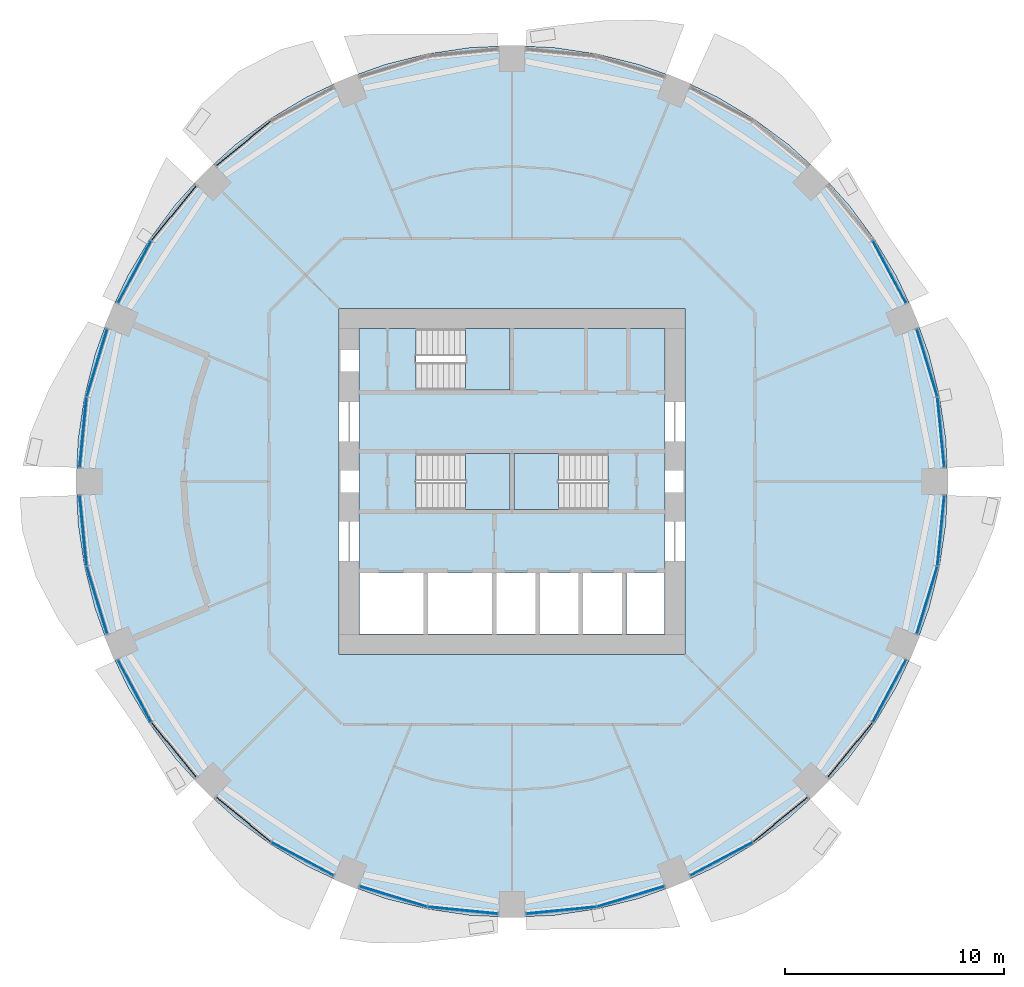
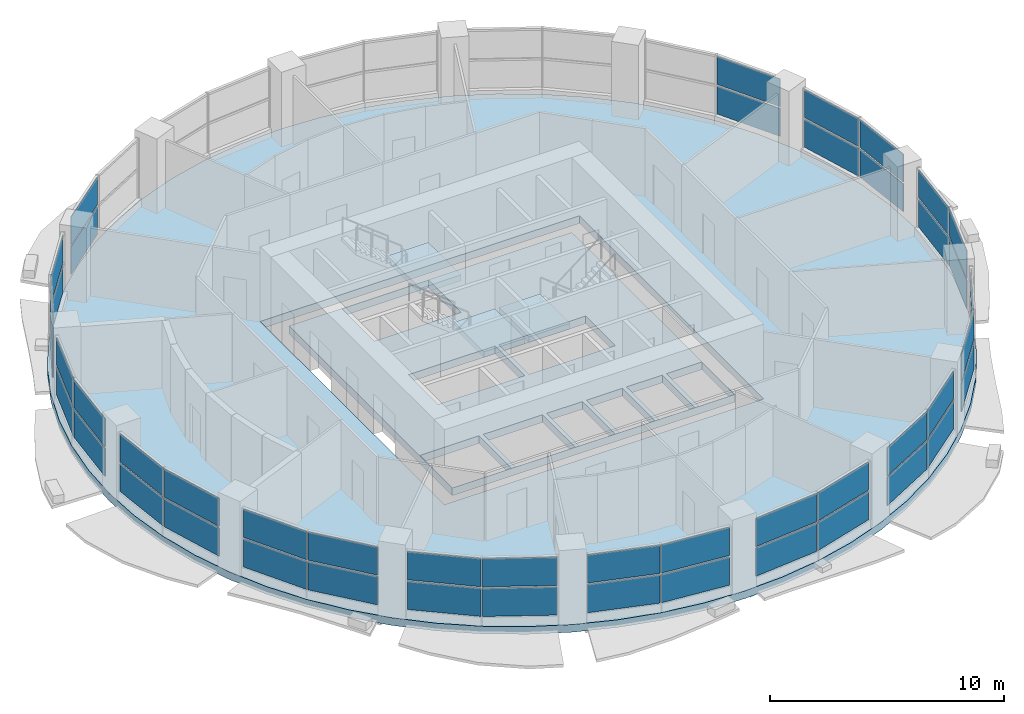
# One storey, part 6 of 15: 48 plates, 5 slabs, 16 elements without a shape of their own.
"""IFC4 building model written with IfcOpenShell, lengths in metres."""

from ifc_helpers import new_model, si_unit, direction, frame, origin, origin_2d, place, context, subcontext, project, spatial, polyline, rectangle, outline, extrude, material, layer, layer_set, type_object, element, aggregate, save


model = new_model("IFC4")

# Units and contexts
model_context = context("Model", 3, precision=1e-05, world=origin(), true_north=direction((0.0, 1.0)))
body_context = subcontext(model_context, "Body", "Model", "MODEL_VIEW")
ifc_project = project(units=[si_unit("LENGTHUNIT", "METRE"), si_unit("AREAUNIT", "SQUARE_METRE"), si_unit("VOLUMEUNIT", "CUBIC_METRE"), si_unit("PLANEANGLEUNIT", "RADIAN"), si_unit("MASSUNIT", "GRAM", prefix="KILO")], contexts=[model_context])

# Site, building, storey
site_placement = place(None, origin())
site = spatial("IfcSite", under=ifc_project, at=site_placement, CompositionType="ELEMENT")
building_placement = place(site_placement, origin())
building = spatial("IfcBuilding", under=site, at=building_placement, Name="Polderwave Tower", CompositionType="ELEMENT")
storey_placement = place(building_placement, frame((0.0, 0.0, 18.5)))
storey = spatial("IfcBuildingStorey", under=building, at=storey_placement, Name="L04", CompositionType="ELEMENT", Elevation=18.5)

# Slabs
ifc_material_1 = material(Name="Concrete C40/50", Category="concrete")
ifc_layer_1 = layer(ifc_material_1, 0.39990234375)
ifc_layer_set_1 = layer_set([ifc_layer_1], Name="Core floor slab 400")
slab_type_1 = type_object("IfcSlabType", Name="Core floor slab 400", PredefinedType="FLOOR", material=ifc_layer_set_1)
slab_1_placement = place(storey_placement, frame((0.0, 0.0, -0.39990234375)))
element("IfcSlab", 1, at=slab_1_placement, inside=storey, type_object=slab_type_1, Name="L04 core floor", PredefinedType="FLOOR", context=body_context, shape_type="SweptSolid", body=[
    extrude(outline(polyline([(-6.97412109375, -6.97412109375), (6.97412109375, -6.97412109375), (6.97412109375, 6.97412109375), (-6.97412109375, 6.97412109375), (-6.97412109375, -6.97412109375)]), holes=[polyline([(-6.9541015625, -6.9541015625), (-4.037109375, -6.9541015625), (-4.037109375, -4.174072265625), (-6.9541015625, -4.174072265625), (-6.9541015625, -6.9541015625)]), polyline([(-3.8369140625, -6.9541015625), (-0.89990234375, -6.9541015625), (-0.89990234375, -4.174072265625), (-3.8369140625, -4.174072265625), (-3.8369140625, -6.9541015625)]), polyline([(-0.699951171875, -6.9541015625), (1.068603515625, -6.9541015625), (1.068603515625, -4.174072265625), (-0.699951171875, -4.174072265625), (-0.699951171875, -6.9541015625)]), polyline([(1.2685546875, -6.9541015625), (3.037109375, -6.9541015625), (3.037109375, -4.174072265625), (1.2685546875, -4.174072265625), (1.2685546875, -6.9541015625)]), polyline([(3.237060546875, -6.9541015625), (5.005615234375, -6.9541015625), (5.005615234375, -4.174072265625), (3.237060546875, -4.174072265625), (3.237060546875, -6.9541015625)]), polyline([(5.20556640625, -6.9541015625), (6.9541015625, -6.9541015625), (6.9541015625, -4.174072265625), (5.20556640625, -4.174072265625), (5.20556640625, -6.9541015625)]), polyline([(-4.37353515625, -1.2744140625), (-0.1005859375, -1.2744140625), (-0.1005859375, 1.2744140625), (-4.37353515625, 1.2744140625), (-4.37353515625, -1.2744140625)]), polyline([(0.1005859375, -1.2744140625), (4.37353515625, -1.2744140625), (4.37353515625, 1.2744140625), (0.1005859375, 1.2744140625), (0.1005859375, -1.2744140625)]), polyline([(-4.37353515625, 4.174560546875), (-0.1005859375, 4.174560546875), (-0.1005859375, 6.9541015625), (-4.37353515625, 6.9541015625), (-4.37353515625, 4.174560546875)])]), origin(), (0.0, 0.0, 1.0), 0.39990234375),
])
ifc_layer_2 = layer(ifc_material_1, 0.39990234375)
ifc_layer_set_2 = layer_set([ifc_layer_2], Name="PT FLOOR SLAB 400 C40/50")
slab_type_2 = type_object("IfcSlabType", Name="PT FLOOR SLAB 400 C40/50", PredefinedType="FLOOR", material=ifc_layer_set_2)
slab_2_placement = place(storey_placement, frame((0.0, 0.0, -0.39990234375)))
element("IfcSlab", 2, at=slab_2_placement, inside=storey, type_object=slab_type_2, Name="ST-SLAB-L04", PredefinedType="FLOOR", context=body_context, shape_type="SweptSolid", body=[
    extrude(outline(polyline([(19.860107421875, 0.0), (19.764404296875, 1.946533203125), (19.478515625, 3.87451171875), (19.0048828125, 5.76513671875), (18.34814453125, 7.60009765625), (17.514892578125, 9.36181640625), (16.512939453125, 11.03369140625), (15.35205078125, 12.59912109375), (14.043212890625, 14.043212890625), (12.59912109375, 15.35205078125), (11.03369140625, 16.512939453125), (9.36181640625, 17.514892578125), (7.60009765625, 18.34814453125), (5.76513671875, 19.0048828125), (3.87451171875, 19.478515625), (1.946533203125, 19.764404296875), (0.0, 19.860107421875), (-1.946533203125, 19.764404296875), (-3.87451171875, 19.478515625), (-5.76513671875, 19.0048828125), (-7.60009765625, 18.34814453125), (-9.36181640625, 17.514892578125), (-11.03369140625, 16.512939453125), (-12.59912109375, 15.35205078125), (-14.043212890625, 14.043212890625), (-15.35205078125, 12.59912109375), (-16.512939453125, 11.03369140625), (-17.514892578125, 9.36181640625), (-18.34814453125, 7.60009765625), (-19.0048828125, 5.76513671875), (-19.478515625, 3.87451171875), (-19.764404296875, 1.946533203125), (-19.860107421875, 0.0), (-19.764404296875, -1.946533203125), (-19.478515625, -3.87451171875), (-19.0048828125, -5.76513671875), (-18.34814453125, -7.60009765625), (-17.514892578125, -9.36181640625), (-16.512939453125, -11.03369140625), (-15.35205078125, -12.59912109375), (-14.043212890625, -14.043212890625), (-12.59912109375, -15.35205078125), (-11.03369140625, -16.512939453125), (-9.36181640625, -17.514892578125), (-7.60009765625, -18.34814453125), (-5.76513671875, -19.0048828125), (-3.87451171875, -19.478515625), (-1.946533203125, -19.764404296875), (0.0, -19.860107421875), (1.946533203125, -19.764404296875), (3.87451171875, -19.478515625), (5.76513671875, -19.0048828125), (7.60009765625, -18.34814453125), (9.36181640625, -17.514892578125), (11.03369140625, -16.512939453125), (12.59912109375, -15.35205078125), (14.043212890625, -14.043212890625), (15.35205078125, -12.59912109375), (16.512939453125, -11.03369140625), (17.514892578125, -9.36181640625), (18.34814453125, -7.60009765625), (19.0048828125, -5.76513671875), (19.478515625, -3.87451171875), (19.764404296875, -1.946533203125), (19.860107421875, 0.0)]), holes=[polyline([(-7.8740234375, -7.8740234375), (7.8740234375, -7.8740234375), (7.8740234375, 7.8740234375), (-7.8740234375, 7.8740234375), (-7.8740234375, -7.8740234375)])]), origin(), (0.0, 0.0, 1.0), 0.39990234375),
])

# Curtain wall, plates
ifc_material_2 = material(Name="Aluminium 6063-T6 and glass", Category="aluminium")
curtain_wall_type = type_object("IfcCurtainWallType", Name="Shopfront glazing wall", PredefinedType="NOTDEFINED", material=ifc_material_2)
curtain_wall_1_placement = place(storey_placement, origin())
curtain_wall_1 = element("IfcCurtainWall", 3, at=curtain_wall_1_placement, inside=storey, type_object=curtain_wall_type, Name="CW1 L04 00", PredefinedType="NOTDEFINED")
ifc_material_3 = material(Name="Glass, low-e laminated double glazing", Category="glass")
ifc_layer_3 = layer(ifc_material_3, 0.035888671875)
ifc_layer_set_3 = layer_set([ifc_layer_3], Name="Shopfront glazing glass panel 36 mm")
plate_type = type_object("IfcPlateType", Name="Shopfront glazing glass panel 36 mm", PredefinedType="CURTAIN_PANEL", material=ifc_layer_set_3)
plate_1_placement = place(storey_placement, frame((19.5390625, 2.242431640625, 0.4501953125), z_axis=(0.0, 0.0, 1.0), x_axis=(-0.098142198156, 0.995172401617, 0.0)))
plate_1 = element("IfcPlate", 4, at=plate_1_placement, type_object=plate_type, Name="CW1 panel 1", PredefinedType="CURTAIN_PANEL", context=body_context, shape_type="SweptSolid", body=[
    extrude(rectangle(XDim=3.180908203125, YDim=0.035888671875, at=origin_2d()), origin(), (0.0, 0.0, 1.0), 1.449951171875),
])
plate_2_placement = place(storey_placement, frame((19.5390625, 2.242431640625, 2.0), z_axis=(0.0, 0.0, 1.0), x_axis=(-0.098142198156, 0.995172401617, 0.0)))
plate_2 = element("IfcPlate", 5, at=plate_2_placement, type_object=plate_type, Name="CW1 panel 2", PredefinedType="CURTAIN_PANEL", context=body_context, shape_type="SweptSolid", body=[
    extrude(rectangle(XDim=3.180908203125, YDim=0.035888671875, at=origin_2d()), origin(), (0.0, 0.0, 1.0), 1.449951171875),
])
plate_3_placement = place(storey_placement, frame((18.909912109375, 5.405517578125, 0.4501953125), z_axis=(0.0, 0.0, 1.0), x_axis=(-0.290151060348, 0.956980857791, 0.0)))
plate_3 = element("IfcPlate", 6, at=plate_3_placement, type_object=plate_type, Name="CW1 panel 3", PredefinedType="CURTAIN_PANEL", context=body_context, shape_type="SweptSolid", body=[
    extrude(rectangle(XDim=3.1806640625, YDim=0.035888671875, at=origin_2d()), origin(), (0.0, 0.0, 1.0), 1.449951171875),
])
plate_4_placement = place(storey_placement, frame((18.909912109375, 5.405517578125, 2.0), z_axis=(0.0, 0.0, 1.0), x_axis=(-0.290151060348, 0.956980857791, 0.0)))
plate_4 = element("IfcPlate", 7, at=plate_4_placement, type_object=plate_type, Name="CW1 panel 4", PredefinedType="CURTAIN_PANEL", context=body_context, shape_type="SweptSolid", body=[
    extrude(rectangle(XDim=3.1806640625, YDim=0.035888671875, at=origin_2d()), origin(), (0.0, 0.0, 1.0), 1.449951171875),
])
aggregate(curtain_wall_1, [plate_1, plate_2, plate_3, plate_4])

curtain_wall_2_placement = place(storey_placement, origin())
curtain_wall_2 = element("IfcCurtainWall", 8, at=curtain_wall_2_placement, inside=storey, type_object=curtain_wall_type, Name="CW1 L04 01", PredefinedType="NOTDEFINED")
plate_5_placement = place(storey_placement, frame((17.19384765625, 9.54931640625, 0.4501953125), z_axis=(0.0, 0.0, 1.0), x_axis=(-0.471509097737, 0.881861196987, 0.0)))
plate_5 = element("IfcPlate", 9, at=plate_5_placement, type_object=plate_type, Name="CW1 panel 1", PredefinedType="CURTAIN_PANEL", context=body_context, shape_type="SweptSolid", body=[
    extrude(rectangle(XDim=3.180419921875, YDim=0.035888671875, at=origin_2d()), origin(), (0.0, 0.0, 1.0), 1.449951171875),
])
plate_6_placement = place(storey_placement, frame((17.19384765625, 9.54931640625, 2.0), z_axis=(0.0, 0.0, 1.0), x_axis=(-0.471509097737, 0.881861196987, 0.0)))
plate_6 = element("IfcPlate", 10, at=plate_6_placement, type_object=plate_type, Name="CW1 panel 2", PredefinedType="CURTAIN_PANEL", context=body_context, shape_type="SweptSolid", body=[
    extrude(rectangle(XDim=3.180419921875, YDim=0.035888671875, at=origin_2d()), origin(), (0.0, 0.0, 1.0), 1.449951171875),
])
aggregate(curtain_wall_2, [plate_5, plate_6])

curtain_wall_3_placement = place(storey_placement, origin())
curtain_wall_3 = element("IfcCurtainWall", 11, at=curtain_wall_3_placement, inside=storey, type_object=curtain_wall_type, Name="CW1 L04 05", PredefinedType="NOTDEFINED")
plate_7_placement = place(storey_placement, frame((-12.23046875, 15.402099609375, 0.4501953125), z_axis=(0.0, 0.0, 1.0), x_axis=(-0.772961733177, -0.634452645234, 0.0)))
plate_7 = element("IfcPlate", 12, at=plate_7_placement, type_object=plate_type, Name="CW1 panel 3", PredefinedType="CURTAIN_PANEL", context=body_context, shape_type="SweptSolid", body=[
    extrude(rectangle(XDim=3.180419921875, YDim=0.035888671875, at=origin_2d()), origin(), (0.0, 0.0, 1.0), 1.449951171875),
])
plate_8_placement = place(storey_placement, frame((-12.23046875, 15.402099609375, 2.0), z_axis=(0.0, 0.0, 1.0), x_axis=(-0.772961733177, -0.634452645234, 0.0)))
plate_8 = element("IfcPlate", 13, at=plate_8_placement, type_object=plate_type, Name="CW1 panel 4", PredefinedType="CURTAIN_PANEL", context=body_context, shape_type="SweptSolid", body=[
    extrude(rectangle(XDim=3.180419921875, YDim=0.035888671875, at=origin_2d()), origin(), (0.0, 0.0, 1.0), 1.449951171875),
])
aggregate(curtain_wall_3, [plate_7, plate_8])

curtain_wall_4_placement = place(storey_placement, origin())
curtain_wall_4 = element("IfcCurtainWall", 14, at=curtain_wall_4_placement, inside=storey, type_object=curtain_wall_type, Name="CW1 L04 06", PredefinedType="NOTDEFINED")
plate_9_placement = place(storey_placement, frame((-15.402099609375, 12.23046875, 0.4501953125), z_axis=(0.0, 0.0, 1.0), x_axis=(-0.634452645234, -0.772961733177, 0.0)))
plate_9 = element("IfcPlate", 15, at=plate_9_placement, type_object=plate_type, Name="CW1 panel 1", PredefinedType="CURTAIN_PANEL", context=body_context, shape_type="SweptSolid", body=[
    extrude(rectangle(XDim=3.180419921875, YDim=0.035888671875, at=origin_2d()), origin(), (0.0, 0.0, 1.0), 1.449951171875),
])
plate_10_placement = place(storey_placement, frame((-15.402099609375, 12.23046875, 2.0), z_axis=(0.0, 0.0, 1.0), x_axis=(-0.634452645234, -0.772961733177, 0.0)))
plate_10 = element("IfcPlate", 16, at=plate_10_placement, type_object=plate_type, Name="CW1 panel 2", PredefinedType="CURTAIN_PANEL", context=body_context, shape_type="SweptSolid", body=[
    extrude(rectangle(XDim=3.180419921875, YDim=0.035888671875, at=origin_2d()), origin(), (0.0, 0.0, 1.0), 1.449951171875),
])
plate_11_placement = place(storey_placement, frame((-17.19384765625, 9.54931640625, 0.4501953125), z_axis=(0.0, 0.0, 1.0), x_axis=(-0.471509097737, -0.881861196987, 0.0)))
plate_11 = element("IfcPlate", 17, at=plate_11_placement, type_object=plate_type, Name="CW1 panel 3", PredefinedType="CURTAIN_PANEL", context=body_context, shape_type="SweptSolid", body=[
    extrude(rectangle(XDim=3.180419921875, YDim=0.035888671875, at=origin_2d()), origin(), (0.0, 0.0, 1.0), 1.449951171875),
])
plate_12_placement = place(storey_placement, frame((-17.19384765625, 9.54931640625, 2.0), z_axis=(0.0, 0.0, 1.0), x_axis=(-0.471509097737, -0.881861196987, 0.0)))
plate_12 = element("IfcPlate", 18, at=plate_12_placement, type_object=plate_type, Name="CW1 panel 4", PredefinedType="CURTAIN_PANEL", context=body_context, shape_type="SweptSolid", body=[
    extrude(rectangle(XDim=3.180419921875, YDim=0.035888671875, at=origin_2d()), origin(), (0.0, 0.0, 1.0), 1.449951171875),
])
aggregate(curtain_wall_4, [plate_9, plate_10, plate_11, plate_12])

curtain_wall_5_placement = place(storey_placement, origin())
curtain_wall_5 = element("IfcCurtainWall", 19, at=curtain_wall_5_placement, inside=storey, type_object=curtain_wall_type, Name="CW1 L04 07", PredefinedType="NOTDEFINED")
plate_13_placement = place(storey_placement, frame((-18.909912109375, 5.405517578125, 0.4501953125), z_axis=(0.0, 0.0, 1.0), x_axis=(-0.290151060348, -0.956980857791, 0.0)))
plate_13 = element("IfcPlate", 20, at=plate_13_placement, type_object=plate_type, Name="CW1 panel 1", PredefinedType="CURTAIN_PANEL", context=body_context, shape_type="SweptSolid", body=[
    extrude(rectangle(XDim=3.1806640625, YDim=0.035888671875, at=origin_2d()), origin(), (0.0, 0.0, 1.0), 1.449951171875),
])
plate_14_placement = place(storey_placement, frame((-18.909912109375, 5.405517578125, 2.0), z_axis=(0.0, 0.0, 1.0), x_axis=(-0.290151060348, -0.956980857791, 0.0)))
plate_14 = element("IfcPlate", 21, at=plate_14_placement, type_object=plate_type, Name="CW1 panel 2", PredefinedType="CURTAIN_PANEL", context=body_context, shape_type="SweptSolid", body=[
    extrude(rectangle(XDim=3.1806640625, YDim=0.035888671875, at=origin_2d()), origin(), (0.0, 0.0, 1.0), 1.449951171875),
])
plate_15_placement = place(storey_placement, frame((-19.5390625, 2.242431640625, 0.4501953125), z_axis=(0.0, 0.0, 1.0), x_axis=(-0.098142198156, -0.995172401617, 0.0)))
plate_15 = element("IfcPlate", 22, at=plate_15_placement, type_object=plate_type, Name="CW1 panel 3", PredefinedType="CURTAIN_PANEL", context=body_context, shape_type="SweptSolid", body=[
    extrude(rectangle(XDim=3.180908203125, YDim=0.035888671875, at=origin_2d()), origin(), (0.0, 0.0, 1.0), 1.449951171875),
])
plate_16_placement = place(storey_placement, frame((-19.5390625, 2.242431640625, 2.0), z_axis=(0.0, 0.0, 1.0), x_axis=(-0.098142198156, -0.995172401617, 0.0)))
plate_16 = element("IfcPlate", 23, at=plate_16_placement, type_object=plate_type, Name="CW1 panel 4", PredefinedType="CURTAIN_PANEL", context=body_context, shape_type="SweptSolid", body=[
    extrude(rectangle(XDim=3.180908203125, YDim=0.035888671875, at=origin_2d()), origin(), (0.0, 0.0, 1.0), 1.449951171875),
])
aggregate(curtain_wall_5, [plate_13, plate_14, plate_15, plate_16])

curtain_wall_6_placement = place(storey_placement, origin())
curtain_wall_6 = element("IfcCurtainWall", 24, at=curtain_wall_6_placement, inside=storey, type_object=curtain_wall_type, Name="CW1 L04 08", PredefinedType="NOTDEFINED")
plate_17_placement = place(storey_placement, frame((-19.5390625, -2.242431640625, 0.4501953125), z_axis=(0.0, 0.0, 1.0), x_axis=(0.098142198156, -0.995172401617, 0.0)))
plate_17 = element("IfcPlate", 25, at=plate_17_placement, type_object=plate_type, Name="CW1 panel 1", PredefinedType="CURTAIN_PANEL", context=body_context, shape_type="SweptSolid", body=[
    extrude(rectangle(XDim=3.180908203125, YDim=0.035888671875, at=origin_2d()), origin(), (0.0, 0.0, 1.0), 1.449951171875),
])
plate_18_placement = place(storey_placement, frame((-19.5390625, -2.242431640625, 2.0), z_axis=(0.0, 0.0, 1.0), x_axis=(0.098142198156, -0.995172401617, 0.0)))
plate_18 = element("IfcPlate", 26, at=plate_18_placement, type_object=plate_type, Name="CW1 panel 2", PredefinedType="CURTAIN_PANEL", context=body_context, shape_type="SweptSolid", body=[
    extrude(rectangle(XDim=3.180908203125, YDim=0.035888671875, at=origin_2d()), origin(), (0.0, 0.0, 1.0), 1.449951171875),
])
plate_19_placement = place(storey_placement, frame((-18.909912109375, -5.405517578125, 0.4501953125), z_axis=(0.0, 0.0, 1.0), x_axis=(0.290151060348, -0.956980857791, 0.0)))
plate_19 = element("IfcPlate", 27, at=plate_19_placement, type_object=plate_type, Name="CW1 panel 3", PredefinedType="CURTAIN_PANEL", context=body_context, shape_type="SweptSolid", body=[
    extrude(rectangle(XDim=3.1806640625, YDim=0.035888671875, at=origin_2d()), origin(), (0.0, 0.0, 1.0), 1.449951171875),
])
plate_20_placement = place(storey_placement, frame((-18.909912109375, -5.405517578125, 2.0), z_axis=(0.0, 0.0, 1.0), x_axis=(0.290151060348, -0.956980857791, 0.0)))
plate_20 = element("IfcPlate", 28, at=plate_20_placement, type_object=plate_type, Name="CW1 panel 4", PredefinedType="CURTAIN_PANEL", context=body_context, shape_type="SweptSolid", body=[
    extrude(rectangle(XDim=3.1806640625, YDim=0.035888671875, at=origin_2d()), origin(), (0.0, 0.0, 1.0), 1.449951171875),
])
aggregate(curtain_wall_6, [plate_17, plate_18, plate_19, plate_20])

curtain_wall_7_placement = place(storey_placement, origin())
curtain_wall_7 = element("IfcCurtainWall", 29, at=curtain_wall_7_placement, inside=storey, type_object=curtain_wall_type, Name="CW1 L04 09", PredefinedType="NOTDEFINED")
plate_21_placement = place(storey_placement, frame((-17.19384765625, -9.54931640625, 0.4501953125), z_axis=(0.0, 0.0, 1.0), x_axis=(0.471509097737, -0.881861196987, 0.0)))
plate_21 = element("IfcPlate", 30, at=plate_21_placement, type_object=plate_type, Name="CW1 panel 1", PredefinedType="CURTAIN_PANEL", context=body_context, shape_type="SweptSolid", body=[
    extrude(rectangle(XDim=3.180419921875, YDim=0.035888671875, at=origin_2d()), origin(), (0.0, 0.0, 1.0), 1.449951171875),
])
plate_22_placement = place(storey_placement, frame((-17.19384765625, -9.54931640625, 2.0), z_axis=(0.0, 0.0, 1.0), x_axis=(0.471509097737, -0.881861196987, 0.0)))
plate_22 = element("IfcPlate", 31, at=plate_22_placement, type_object=plate_type, Name="CW1 panel 2", PredefinedType="CURTAIN_PANEL", context=body_context, shape_type="SweptSolid", body=[
    extrude(rectangle(XDim=3.180419921875, YDim=0.035888671875, at=origin_2d()), origin(), (0.0, 0.0, 1.0), 1.449951171875),
])
plate_23_placement = place(storey_placement, frame((-15.402099609375, -12.23046875, 0.4501953125), z_axis=(0.0, 0.0, 1.0), x_axis=(0.634452645234, -0.772961733177, 0.0)))
plate_23 = element("IfcPlate", 32, at=plate_23_placement, type_object=plate_type, Name="CW1 panel 3", PredefinedType="CURTAIN_PANEL", context=body_context, shape_type="SweptSolid", body=[
    extrude(rectangle(XDim=3.180419921875, YDim=0.035888671875, at=origin_2d()), origin(), (0.0, 0.0, 1.0), 1.449951171875),
])
plate_24_placement = place(storey_placement, frame((-15.402099609375, -12.23046875, 2.0), z_axis=(0.0, 0.0, 1.0), x_axis=(0.634452645234, -0.772961733177, 0.0)))
plate_24 = element("IfcPlate", 33, at=plate_24_placement, type_object=plate_type, Name="CW1 panel 4", PredefinedType="CURTAIN_PANEL", context=body_context, shape_type="SweptSolid", body=[
    extrude(rectangle(XDim=3.180419921875, YDim=0.035888671875, at=origin_2d()), origin(), (0.0, 0.0, 1.0), 1.449951171875),
])
aggregate(curtain_wall_7, [plate_21, plate_22, plate_23, plate_24])

curtain_wall_8_placement = place(storey_placement, origin())
curtain_wall_8 = element("IfcCurtainWall", 34, at=curtain_wall_8_placement, inside=storey, type_object=curtain_wall_type, Name="CW1 L04 10", PredefinedType="NOTDEFINED")
plate_25_placement = place(storey_placement, frame((-12.23046875, -15.402099609375, 0.4501953125), z_axis=(0.0, 0.0, 1.0), x_axis=(0.772961733177, -0.634452645234, 0.0)))
plate_25 = element("IfcPlate", 35, at=plate_25_placement, type_object=plate_type, Name="CW1 panel 1", PredefinedType="CURTAIN_PANEL", context=body_context, shape_type="SweptSolid", body=[
    extrude(rectangle(XDim=3.180419921875, YDim=0.035888671875, at=origin_2d()), origin(), (0.0, 0.0, 1.0), 1.449951171875),
])
plate_26_placement = place(storey_placement, frame((-12.23046875, -15.402099609375, 2.0), z_axis=(0.0, 0.0, 1.0), x_axis=(0.772961733177, -0.634452645234, 0.0)))
plate_26 = element("IfcPlate", 36, at=plate_26_placement, type_object=plate_type, Name="CW1 panel 2", PredefinedType="CURTAIN_PANEL", context=body_context, shape_type="SweptSolid", body=[
    extrude(rectangle(XDim=3.180419921875, YDim=0.035888671875, at=origin_2d()), origin(), (0.0, 0.0, 1.0), 1.449951171875),
])
plate_27_placement = place(storey_placement, frame((-9.54931640625, -17.19384765625, 0.4501953125), z_axis=(0.0, 0.0, 1.0), x_axis=(0.881861196987, -0.471509097737, 0.0)))
plate_27 = element("IfcPlate", 37, at=plate_27_placement, type_object=plate_type, Name="CW1 panel 3", PredefinedType="CURTAIN_PANEL", context=body_context, shape_type="SweptSolid", body=[
    extrude(rectangle(XDim=3.180419921875, YDim=0.035888671875, at=origin_2d()), origin(), (0.0, 0.0, 1.0), 1.449951171875),
])
plate_28_placement = place(storey_placement, frame((-9.54931640625, -17.19384765625, 2.0), z_axis=(0.0, 0.0, 1.0), x_axis=(0.881861196987, -0.471509097737, 0.0)))
plate_28 = element("IfcPlate", 38, at=plate_28_placement, type_object=plate_type, Name="CW1 panel 4", PredefinedType="CURTAIN_PANEL", context=body_context, shape_type="SweptSolid", body=[
    extrude(rectangle(XDim=3.180419921875, YDim=0.035888671875, at=origin_2d()), origin(), (0.0, 0.0, 1.0), 1.449951171875),
])
aggregate(curtain_wall_8, [plate_25, plate_26, plate_27, plate_28])

curtain_wall_9_placement = place(storey_placement, origin())
curtain_wall_9 = element("IfcCurtainWall", 39, at=curtain_wall_9_placement, inside=storey, type_object=curtain_wall_type, Name="CW1 L04 11", PredefinedType="NOTDEFINED")
plate_29_placement = place(storey_placement, frame((-5.405517578125, -18.909912109375, 0.4501953125), z_axis=(0.0, 0.0, 1.0), x_axis=(0.956980857791, -0.290151060348, 0.0)))
plate_29 = element("IfcPlate", 40, at=plate_29_placement, type_object=plate_type, Name="CW1 panel 1", PredefinedType="CURTAIN_PANEL", context=body_context, shape_type="SweptSolid", body=[
    extrude(rectangle(XDim=3.1806640625, YDim=0.035888671875, at=origin_2d()), origin(), (0.0, 0.0, 1.0), 1.449951171875),
])
plate_30_placement = place(storey_placement, frame((-5.405517578125, -18.909912109375, 2.0), z_axis=(0.0, 0.0, 1.0), x_axis=(0.956980857791, -0.290151060348, 0.0)))
plate_30 = element("IfcPlate", 41, at=plate_30_placement, type_object=plate_type, Name="CW1 panel 2", PredefinedType="CURTAIN_PANEL", context=body_context, shape_type="SweptSolid", body=[
    extrude(rectangle(XDim=3.1806640625, YDim=0.035888671875, at=origin_2d()), origin(), (0.0, 0.0, 1.0), 1.449951171875),
])
plate_31_placement = place(storey_placement, frame((-2.242431640625, -19.5390625, 0.4501953125), z_axis=(0.0, 0.0, 1.0), x_axis=(0.995172401617, -0.098142198156, 0.0)))
plate_31 = element("IfcPlate", 42, at=plate_31_placement, type_object=plate_type, Name="CW1 panel 3", PredefinedType="CURTAIN_PANEL", context=body_context, shape_type="SweptSolid", body=[
    extrude(rectangle(XDim=3.180908203125, YDim=0.035888671875, at=origin_2d()), origin(), (0.0, 0.0, 1.0), 1.449951171875),
])
plate_32_placement = place(storey_placement, frame((-2.242431640625, -19.5390625, 2.0), z_axis=(0.0, 0.0, 1.0), x_axis=(0.995172401617, -0.098142198156, 0.0)))
plate_32 = element("IfcPlate", 43, at=plate_32_placement, type_object=plate_type, Name="CW1 panel 4", PredefinedType="CURTAIN_PANEL", context=body_context, shape_type="SweptSolid", body=[
    extrude(rectangle(XDim=3.180908203125, YDim=0.035888671875, at=origin_2d()), origin(), (0.0, 0.0, 1.0), 1.449951171875),
])
aggregate(curtain_wall_9, [plate_29, plate_30, plate_31, plate_32])

curtain_wall_10_placement = place(storey_placement, origin())
curtain_wall_10 = element("IfcCurtainWall", 44, at=curtain_wall_10_placement, inside=storey, type_object=curtain_wall_type, Name="CW1 L04 12", PredefinedType="NOTDEFINED")
plate_33_placement = place(storey_placement, frame((2.242431640625, -19.5390625, 0.4501953125), z_axis=(0.0, 0.0, 1.0), x_axis=(0.995172401617, 0.098142198156, 0.0)))
plate_33 = element("IfcPlate", 45, at=plate_33_placement, type_object=plate_type, Name="CW1 panel 1", PredefinedType="CURTAIN_PANEL", context=body_context, shape_type="SweptSolid", body=[
    extrude(rectangle(XDim=3.180908203125, YDim=0.035888671875, at=origin_2d()), origin(), (0.0, 0.0, 1.0), 1.449951171875),
])
plate_34_placement = place(storey_placement, frame((2.242431640625, -19.5390625, 2.0), z_axis=(0.0, 0.0, 1.0), x_axis=(0.995172401617, 0.098142198156, 0.0)))
plate_34 = element("IfcPlate", 46, at=plate_34_placement, type_object=plate_type, Name="CW1 panel 2", PredefinedType="CURTAIN_PANEL", context=body_context, shape_type="SweptSolid", body=[
    extrude(rectangle(XDim=3.180908203125, YDim=0.035888671875, at=origin_2d()), origin(), (0.0, 0.0, 1.0), 1.449951171875),
])
plate_35_placement = place(storey_placement, frame((5.405517578125, -18.909912109375, 0.4501953125), z_axis=(0.0, 0.0, 1.0), x_axis=(0.956980857791, 0.290151060348, 0.0)))
plate_35 = element("IfcPlate", 47, at=plate_35_placement, type_object=plate_type, Name="CW1 panel 3", PredefinedType="CURTAIN_PANEL", context=body_context, shape_type="SweptSolid", body=[
    extrude(rectangle(XDim=3.1806640625, YDim=0.035888671875, at=origin_2d()), origin(), (0.0, 0.0, 1.0), 1.449951171875),
])
plate_36_placement = place(storey_placement, frame((5.405517578125, -18.909912109375, 2.0), z_axis=(0.0, 0.0, 1.0), x_axis=(0.956980857791, 0.290151060348, 0.0)))
plate_36 = element("IfcPlate", 48, at=plate_36_placement, type_object=plate_type, Name="CW1 panel 4", PredefinedType="CURTAIN_PANEL", context=body_context, shape_type="SweptSolid", body=[
    extrude(rectangle(XDim=3.1806640625, YDim=0.035888671875, at=origin_2d()), origin(), (0.0, 0.0, 1.0), 1.449951171875),
])
aggregate(curtain_wall_10, [plate_33, plate_34, plate_35, plate_36])

curtain_wall_11_placement = place(storey_placement, origin())
curtain_wall_11 = element("IfcCurtainWall", 49, at=curtain_wall_11_placement, inside=storey, type_object=curtain_wall_type, Name="CW1 L04 13", PredefinedType="NOTDEFINED")
plate_37_placement = place(storey_placement, frame((9.54931640625, -17.19384765625, 0.4501953125), z_axis=(0.0, 0.0, 1.0), x_axis=(0.881861196987, 0.471509097737, 0.0)))
plate_37 = element("IfcPlate", 50, at=plate_37_placement, type_object=plate_type, Name="CW1 panel 1", PredefinedType="CURTAIN_PANEL", context=body_context, shape_type="SweptSolid", body=[
    extrude(rectangle(XDim=3.180419921875, YDim=0.035888671875, at=origin_2d()), origin(), (0.0, 0.0, 1.0), 1.449951171875),
])
plate_38_placement = place(storey_placement, frame((9.54931640625, -17.19384765625, 2.0), z_axis=(0.0, 0.0, 1.0), x_axis=(0.881861196987, 0.471509097737, 0.0)))
plate_38 = element("IfcPlate", 51, at=plate_38_placement, type_object=plate_type, Name="CW1 panel 2", PredefinedType="CURTAIN_PANEL", context=body_context, shape_type="SweptSolid", body=[
    extrude(rectangle(XDim=3.180419921875, YDim=0.035888671875, at=origin_2d()), origin(), (0.0, 0.0, 1.0), 1.449951171875),
])
plate_39_placement = place(storey_placement, frame((12.23046875, -15.402099609375, 0.4501953125), z_axis=(0.0, 0.0, 1.0), x_axis=(0.772961733177, 0.634452645234, 0.0)))
plate_39 = element("IfcPlate", 52, at=plate_39_placement, type_object=plate_type, Name="CW1 panel 3", PredefinedType="CURTAIN_PANEL", context=body_context, shape_type="SweptSolid", body=[
    extrude(rectangle(XDim=3.180419921875, YDim=0.035888671875, at=origin_2d()), origin(), (0.0, 0.0, 1.0), 1.449951171875),
])
plate_40_placement = place(storey_placement, frame((12.23046875, -15.402099609375, 2.0), z_axis=(0.0, 0.0, 1.0), x_axis=(0.772961733177, 0.634452645234, 0.0)))
plate_40 = element("IfcPlate", 53, at=plate_40_placement, type_object=plate_type, Name="CW1 panel 4", PredefinedType="CURTAIN_PANEL", context=body_context, shape_type="SweptSolid", body=[
    extrude(rectangle(XDim=3.180419921875, YDim=0.035888671875, at=origin_2d()), origin(), (0.0, 0.0, 1.0), 1.449951171875),
])
aggregate(curtain_wall_11, [plate_37, plate_38, plate_39, plate_40])

curtain_wall_12_placement = place(storey_placement, origin())
curtain_wall_12 = element("IfcCurtainWall", 54, at=curtain_wall_12_placement, inside=storey, type_object=curtain_wall_type, Name="CW1 L04 14", PredefinedType="NOTDEFINED")
plate_41_placement = place(storey_placement, frame((15.402099609375, -12.23046875, 0.4501953125), z_axis=(0.0, 0.0, 1.0), x_axis=(0.634452645234, 0.772961733177, 0.0)))
plate_41 = element("IfcPlate", 55, at=plate_41_placement, type_object=plate_type, Name="CW1 panel 1", PredefinedType="CURTAIN_PANEL", context=body_context, shape_type="SweptSolid", body=[
    extrude(rectangle(XDim=3.180419921875, YDim=0.035888671875, at=origin_2d()), origin(), (0.0, 0.0, 1.0), 1.449951171875),
])
plate_42_placement = place(storey_placement, frame((15.402099609375, -12.23046875, 2.0), z_axis=(0.0, 0.0, 1.0), x_axis=(0.634452645234, 0.772961733177, 0.0)))
plate_42 = element("IfcPlate", 56, at=plate_42_placement, type_object=plate_type, Name="CW1 panel 2", PredefinedType="CURTAIN_PANEL", context=body_context, shape_type="SweptSolid", body=[
    extrude(rectangle(XDim=3.180419921875, YDim=0.035888671875, at=origin_2d()), origin(), (0.0, 0.0, 1.0), 1.449951171875),
])
plate_43_placement = place(storey_placement, frame((17.19384765625, -9.54931640625, 0.4501953125), z_axis=(0.0, 0.0, 1.0), x_axis=(0.471509097737, 0.881861196987, 0.0)))
plate_43 = element("IfcPlate", 57, at=plate_43_placement, type_object=plate_type, Name="CW1 panel 3", PredefinedType="CURTAIN_PANEL", context=body_context, shape_type="SweptSolid", body=[
    extrude(rectangle(XDim=3.180419921875, YDim=0.035888671875, at=origin_2d()), origin(), (0.0, 0.0, 1.0), 1.449951171875),
])
plate_44_placement = place(storey_placement, frame((17.19384765625, -9.54931640625, 2.0), z_axis=(0.0, 0.0, 1.0), x_axis=(0.471509097737, 0.881861196987, 0.0)))
plate_44 = element("IfcPlate", 58, at=plate_44_placement, type_object=plate_type, Name="CW1 panel 4", PredefinedType="CURTAIN_PANEL", context=body_context, shape_type="SweptSolid", body=[
    extrude(rectangle(XDim=3.180419921875, YDim=0.035888671875, at=origin_2d()), origin(), (0.0, 0.0, 1.0), 1.449951171875),
])
aggregate(curtain_wall_12, [plate_41, plate_42, plate_43, plate_44])

curtain_wall_13_placement = place(storey_placement, origin())
curtain_wall_13 = element("IfcCurtainWall", 59, at=curtain_wall_13_placement, inside=storey, type_object=curtain_wall_type, Name="CW1 L04 15", PredefinedType="NOTDEFINED")
plate_45_placement = place(storey_placement, frame((18.909912109375, -5.405517578125, 0.4501953125), z_axis=(0.0, 0.0, 1.0), x_axis=(0.290151060348, 0.956980857791, 0.0)))
plate_45 = element("IfcPlate", 60, at=plate_45_placement, type_object=plate_type, Name="CW1 panel 1", PredefinedType="CURTAIN_PANEL", context=body_context, shape_type="SweptSolid", body=[
    extrude(rectangle(XDim=3.1806640625, YDim=0.035888671875, at=origin_2d()), origin(), (0.0, 0.0, 1.0), 1.449951171875),
])
plate_46_placement = place(storey_placement, frame((18.909912109375, -5.405517578125, 2.0), z_axis=(0.0, 0.0, 1.0), x_axis=(0.290151060348, 0.956980857791, 0.0)))
plate_46 = element("IfcPlate", 61, at=plate_46_placement, type_object=plate_type, Name="CW1 panel 2", PredefinedType="CURTAIN_PANEL", context=body_context, shape_type="SweptSolid", body=[
    extrude(rectangle(XDim=3.1806640625, YDim=0.035888671875, at=origin_2d()), origin(), (0.0, 0.0, 1.0), 1.449951171875),
])
plate_47_placement = place(storey_placement, frame((19.5390625, -2.242431640625, 0.4501953125), z_axis=(0.0, 0.0, 1.0), x_axis=(0.098142198156, 0.995172401617, 0.0)))
plate_47 = element("IfcPlate", 62, at=plate_47_placement, type_object=plate_type, Name="CW1 panel 3", PredefinedType="CURTAIN_PANEL", context=body_context, shape_type="SweptSolid", body=[
    extrude(rectangle(XDim=3.180908203125, YDim=0.035888671875, at=origin_2d()), origin(), (0.0, 0.0, 1.0), 1.449951171875),
])
plate_48_placement = place(storey_placement, frame((19.5390625, -2.242431640625, 2.0), z_axis=(0.0, 0.0, 1.0), x_axis=(0.098142198156, 0.995172401617, 0.0)))
plate_48 = element("IfcPlate", 63, at=plate_48_placement, type_object=plate_type, Name="CW1 panel 4", PredefinedType="CURTAIN_PANEL", context=body_context, shape_type="SweptSolid", body=[
    extrude(rectangle(XDim=3.180908203125, YDim=0.035888671875, at=origin_2d()), origin(), (0.0, 0.0, 1.0), 1.449951171875),
])
aggregate(curtain_wall_13, [plate_45, plate_46, plate_47, plate_48])

# Stair, slab
stair_type = type_object("IfcStairType", Name="Exit stair 1200 x 20 risers", PredefinedType="HALF_TURN_STAIR", material=ifc_material_1)
stair_1_placement = place(storey_placement, origin())
stair_1 = element("IfcStair", 64, at=stair_1_placement, inside=storey, type_object=stair_type, Name="L04 Exit stair A", PredefinedType="HALF_TURN_STAIR")
ifc_layer_4 = layer(ifc_material_1, 0.300048828125)
ifc_layer_set_4 = layer_set([ifc_layer_4], Name="Stair landing 300")
slab_type_3 = type_object("IfcSlabType", Name="Stair landing 300", PredefinedType="LANDING", material=ifc_layer_set_4)
slab_3_placement = place(storey_placement, frame((0.0, 0.0, 1.64990234375)))
slab_3 = element("IfcSlab", 65, at=slab_3_placement, type_object=slab_type_3, Name="ST-A landing 1", PredefinedType="LANDING", context=body_context, shape_type="SweptSolid", body=[
    extrude(outline(polyline([(-2.1240234375, -1.27490234375), (-0.10009765625, -1.27490234375), (-0.10009765625, 1.27490234375), (-2.1240234375, 1.27490234375), (-2.1240234375, -1.27490234375)])), origin(), (0.0, 0.0, 1.0), 0.300048828125),
])
aggregate(stair_1, [slab_3])

stair_2_placement = place(storey_placement, origin())
stair_2 = element("IfcStair", 66, at=stair_2_placement, inside=storey, type_object=stair_type, Name="L04 Exit stair B", PredefinedType="HALF_TURN_STAIR")
slab_4_placement = place(storey_placement, frame((0.0, 0.0, 1.64990234375)))
slab_4 = element("IfcSlab", 67, at=slab_4_placement, type_object=slab_type_3, Name="ST-B landing 1", PredefinedType="LANDING", context=body_context, shape_type="SweptSolid", body=[
    extrude(outline(polyline([(2.1240234375, 1.27490234375), (0.10009765625, 1.27490234375), (0.10009765625, -1.27490234375), (2.1240234375, -1.27490234375), (2.1240234375, 1.27490234375)])), origin(), (0.0, 0.0, 1.0), 0.300048828125),
])
aggregate(stair_2, [slab_4])

stair_3_placement = place(storey_placement, origin())
stair_3 = element("IfcStair", 68, at=stair_3_placement, inside=storey, type_object=stair_type, Name="L04 Exit stair C", PredefinedType="HALF_TURN_STAIR")
slab_5_placement = place(storey_placement, frame((0.0, 0.0, 1.64990234375)))
slab_5 = element("IfcSlab", 69, at=slab_5_placement, type_object=slab_type_3, Name="ST-C landing 1", PredefinedType="LANDING", context=body_context, shape_type="SweptSolid", body=[
    extrude(outline(polyline([(-2.1240234375, 4.174072265625), (-0.10009765625, 4.174072265625), (-0.10009765625, 6.97412109375), (-2.1240234375, 6.97412109375), (-2.1240234375, 4.174072265625)])), origin(), (0.0, 0.0, 1.0), 0.300048828125),
])
aggregate(stair_3, [slab_5])

save(model, "model.ifc")
